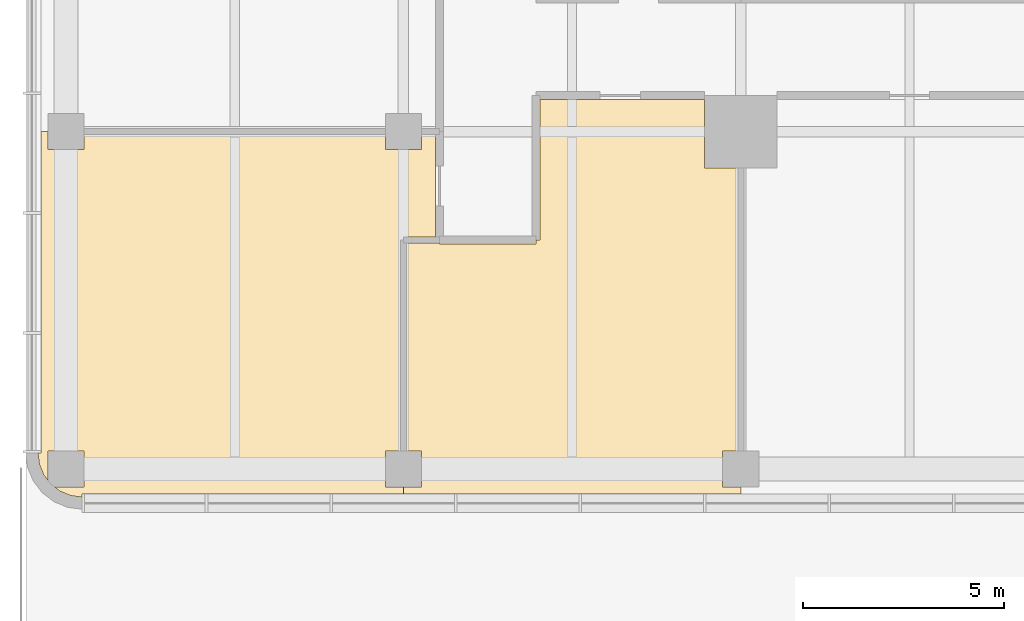
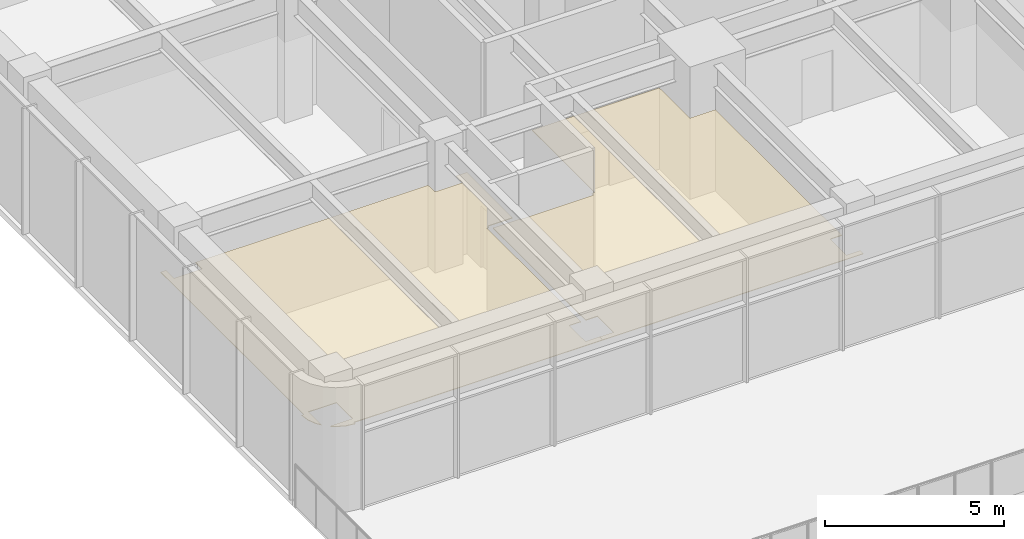
# One storey, part 16 of 20: 2 coverings.
"""IFC4 building model written with IfcOpenShell, lengths in metres."""

from ifc_helpers import new_model, si_unit, direction, frame, origin, place, context, subcontext, project, spatial, polyline, outline, extrude, material, layer, layer_set, type_object, element, save


model = new_model("IFC4")

# Units and contexts
model_context = context("Model", 3, precision=1e-05, world=origin(), true_north=direction((0.0, 1.0)))
body_context = subcontext(model_context, "Body", "Model", "MODEL_VIEW")
ifc_project = project(units=[si_unit("LENGTHUNIT", "METRE"), si_unit("AREAUNIT", "SQUARE_METRE"), si_unit("VOLUMEUNIT", "CUBIC_METRE"), si_unit("PLANEANGLEUNIT", "RADIAN"), si_unit("MASSUNIT", "GRAM", prefix="KILO")], contexts=[model_context])

# Site, building, storey
site_placement = place(None, origin())
site = spatial("IfcSite", under=ifc_project, at=site_placement, CompositionType="ELEMENT")
building_placement = place(site_placement, origin())
building = spatial("IfcBuilding", under=site, at=building_placement, Name="Torre Alcanfor", CompositionType="ELEMENT")
storey_placement = place(building_placement, frame((0.0, 0.0, 10.5)))
storey = spatial("IfcBuildingStorey", under=building, at=storey_placement, Name="L02", CompositionType="ELEMENT", Elevation=10.5)

# Coverings
ifc_material = material(Name="Mineral fibre acoustic tile 20 mm, NRC 0.70, on exposed suspension grid", Category="mineral fibre")
ifc_layer = layer(ifc_material, 0.02001953125)
ifc_layer_set = layer_set([ifc_layer], Name="Acoustic suspended ceiling 600x600 mineral fibre tile")
covering_type = type_object("IfcCoveringType", Name="Acoustic suspended ceiling 600x600 mineral fibre tile", PredefinedType="CEILING", material=ifc_layer_set)
covering_1_placement = place(storey_placement, frame((0.0, 0.0, 2.75)))
element("IfcCovering", 1, at=covering_1_placement, inside=storey, type_object=covering_type, Name="Ceiling L02-01", PredefinedType="CEILING", context=body_context, shape_type="SweptSolid", body=[
    extrude(outline(polyline([(8.85009765625, -8.85009765625), (8.39990234375, -8.85009765625), (8.39990234375, -9.02490234375), (16.800048828125, -9.02490234375), (16.800048828125, -8.85009765625), (16.35009765625, -8.85009765625), (16.35009765625, -7.949951171875), (16.72509765625, -7.949951171875), (16.72509765625, -0.89990234375), (15.89990234375, -0.89990234375), (15.89990234375, 0.800048828125), (11.800048828125, 0.800048828125), (11.800048828125, -2.699951171875), (11.699951171875, -2.699951171875), (11.699951171875, -2.800048828125), (9.300048828125, -2.800048828125), (9.300048828125, -2.77490234375), (8.47509765625, -2.77490234375), (8.47509765625, -7.949951171875), (8.85009765625, -7.949951171875), (8.85009765625, -8.85009765625)])), origin(), (0.0, 0.0, 1.0), 0.02001953125),
])
covering_2_placement = place(storey_placement, frame((0.0, 0.0, 2.75)))
element("IfcCovering", 2, at=covering_2_placement, inside=storey, type_object=covering_type, Name="Ceiling L02-03", PredefinedType="CEILING", context=body_context, shape_type="SweptSolid", body=[
    extrude(outline(polyline([(-0.659912109375, -8.283935546875), (-0.55029296875, -8.548583984375), (-0.449951171875, -8.679443359375), (-0.449951171875, -7.949951171875), (0.449951171875, -7.949951171875), (0.449951171875, -8.85009765625), (-0.279296875, -8.85009765625), (-0.148681640625, -8.950439453125), (0.115966796875, -9.06005859375), (0.39990234375, -9.097412109375), (0.39990234375, -9.02490234375), (8.39990234375, -9.02490234375), (8.39990234375, -8.85009765625), (7.949951171875, -8.85009765625), (7.949951171875, -7.949951171875), (8.324951171875, -7.949951171875), (8.324951171875, -2.699951171875), (8.39990234375, -2.699951171875), (8.39990234375, -2.625), (9.199951171875, -2.625), (9.199951171875, -0.074951171875), (8.85009765625, -0.074951171875), (8.85009765625, -0.449951171875), (7.949951171875, -0.449951171875), (7.949951171875, -0.074951171875), (0.449951171875, -0.074951171875), (0.449951171875, -0.449951171875), (-0.449951171875, -0.449951171875), (-0.449951171875, 0.0), (-0.625, 0.0), (-0.625, -8.0), (-0.697509765625, -8.0), (-0.659912109375, -8.283935546875)])), origin(), (0.0, 0.0, 1.0), 0.02001953125),
])

save(model, "model.ifc")
